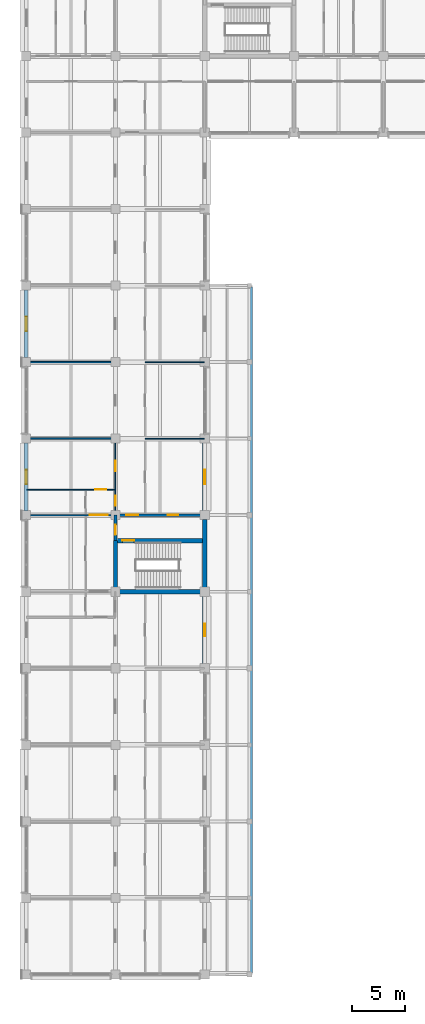
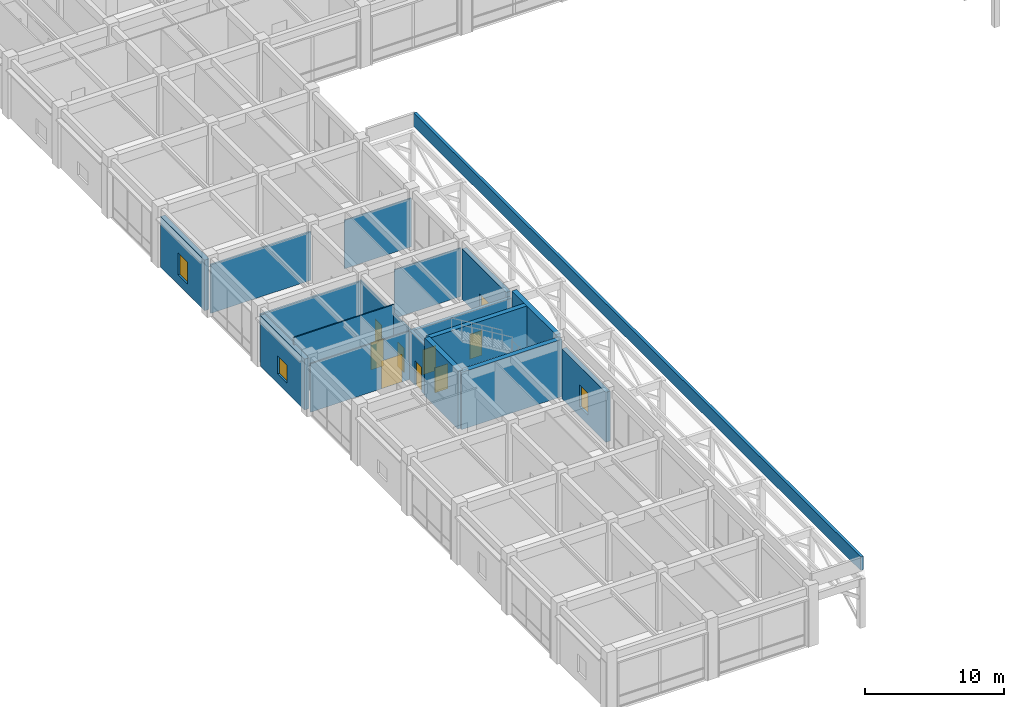
# One storey, part 37 of 68: 18 walls, 8 doors, 4 windows, 12 openings.
"""IFC4 building model written with IfcOpenShell, lengths in metres."""

from ifc_helpers import new_model, si_unit, direction, frame, frame_2d, origin, place, context, subcontext, project, spatial, rectangle, extrude, material, layer, layer_set, type_object, element, fill, save


model = new_model("IFC4")

# Units and contexts
model_context = context("Model", 3, precision=1e-05, world=origin(), true_north=direction((0.0, 1.0)))
body_context = subcontext(model_context, "Body", "Model", "MODEL_VIEW")
ifc_project = project(units=[si_unit("LENGTHUNIT", "METRE"), si_unit("AREAUNIT", "SQUARE_METRE"), si_unit("VOLUMEUNIT", "CUBIC_METRE"), si_unit("PLANEANGLEUNIT", "RADIAN"), si_unit("MASSUNIT", "GRAM", prefix="KILO")], contexts=[model_context])

# Site, building, storey
site_placement = place(None, origin())
site = spatial("IfcSite", under=ifc_project, at=site_placement, CompositionType="ELEMENT")
building_placement = place(site_placement, origin())
building = spatial("IfcBuilding", under=site, at=building_placement, Name="Chengyuan Square Courthouse", CompositionType="ELEMENT")
storey_placement = place(building_placement, frame((0.0, 0.0, 5.39990234375)))
storey = spatial("IfcBuildingStorey", under=building, at=storey_placement, Name="L02", CompositionType="ELEMENT", Elevation=5.39990234375)

# Wall, opening, window
ifc_material_1 = material(Name="Concrete C40", Category="concrete")
ifc_layer_1 = layer(ifc_material_1, 0.3798828125)
ifc_layer_set_1 = layer_set([ifc_layer_1], Name="Concrete C40")
wall_type_1 = type_object("IfcWallType", Name="WL-EW1", PredefinedType="STANDARD", material=ifc_layer_set_1)
wall_1_placement = place(storey_placement, frame((0.0, 43.6201171875, 0.0), z_axis=(0.0, 0.0, 1.0), x_axis=(0.0, 1.0, 0.0)))
wall_1 = element("IfcWall", 1, at=wall_1_placement, inside=storey, type_object=wall_type_1, Name="Exterior Wall WL-L02-E208", PredefinedType="STANDARD", context=body_context, shape_type="SweptSolid", body=[
    extrude(rectangle(XDim=6.35986328125, YDim=0.3798828125, at=frame_2d((3.179931640625, 0.0))), origin(), (0.0, 0.0, 1.0), 4.47021484375),
])
opening_1_placement = place(wall_1_placement, frame((2.5048828125, 0.0, 0.85009765625)))
opening_1 = element("IfcOpeningElement", 2, at=opening_1_placement, cuts=wall_1, Name="Opening WN-022", PredefinedType="OPENING", context=body_context, shape_type="SweptSolid", body=[
    extrude(rectangle(XDim=1.35009765625, YDim=1.56005859375, at=frame_2d((0.675048828125, 0.780029296875))), frame((0.0, 0.201904296875, 0.0), z_axis=(0.0, -1.0, 0.0), x_axis=(1.0, 0.0, 0.0)), (0.0, 0.0, 1.0), 0.40380859375),
])
ifc_material_2 = material(Name="Thermally Broken Aluminium Triple Low-E Window", Category="aluminium")
window_type_1 = type_object("IfcWindowType", Name="WT-21", PartitioningType="SINGLE_PANEL", PredefinedType="WINDOW", material=ifc_material_2)
window_1_placement = place(opening_1_placement, origin())
window_1 = element("IfcWindow", 3, at=window_1_placement, inside=storey, type_object=window_type_1, Name="Facade Window WN-022", OverallHeight=1.56005859375, OverallWidth=1.35009765625, PartitioningType="SINGLE_PANEL", PredefinedType="WINDOW", context=body_context, shape_type="SweptSolid", body=[
    extrude(rectangle(XDim=1.35009765625, YDim=1.56005859375, at=frame_2d((0.675048828125, 0.780029296875))), frame((0.0, 0.030029296875, 0.0), z_axis=(0.0, -1.0, 0.0), x_axis=(1.0, 0.0, 0.0)), (0.0, 0.0, 1.0), 0.06005859375),
])
fill(opening_1, window_1)

wall_2_placement = place(storey_placement, frame((0.0, 58.02001953125, 0.0), z_axis=(0.0, 0.0, 1.0), x_axis=(0.0, 1.0, 0.0)))
wall_2 = element("IfcWall", 4, at=wall_2_placement, inside=storey, type_object=wall_type_1, Name="Exterior Wall WL-L02-E209", PredefinedType="STANDARD", context=body_context, shape_type="SweptSolid", body=[
    extrude(rectangle(XDim=6.35986328125, YDim=0.3798828125, at=frame_2d((3.179931640625, 0.0))), origin(), (0.0, 0.0, 1.0), 4.47021484375),
])
opening_2_placement = place(wall_2_placement, frame((2.5048828125, 0.0, 0.85009765625)))
opening_2 = element("IfcOpeningElement", 5, at=opening_2_placement, cuts=wall_2, Name="Opening WN-023", PredefinedType="OPENING", context=body_context, shape_type="SweptSolid", body=[
    extrude(rectangle(XDim=1.35009765625, YDim=1.919921875, at=frame_2d((0.675048828125, 0.9599609375))), frame((0.0, 0.201904296875, 0.0), z_axis=(0.0, -1.0, 0.0), x_axis=(1.0, 0.0, 0.0)), (0.0, 0.0, 1.0), 0.40380859375),
])
window_type_2 = type_object("IfcWindowType", Name="WT-23", PartitioningType="SINGLE_PANEL", PredefinedType="WINDOW", material=ifc_material_2)
window_2_placement = place(opening_2_placement, origin())
window_2 = element("IfcWindow", 6, at=window_2_placement, inside=storey, type_object=window_type_2, Name="Facade Window WN-023", OverallHeight=1.919921875, OverallWidth=1.35009765625, PartitioningType="SINGLE_PANEL", PredefinedType="WINDOW", context=body_context, shape_type="SweptSolid", body=[
    extrude(rectangle(XDim=1.35009765625, YDim=1.919921875, at=frame_2d((0.675048828125, 0.9599609375))), frame((0.0, 0.030029296875, 0.0), z_axis=(0.0, -1.0, 0.0), x_axis=(1.0, 0.0, 0.0)), (0.0, 0.0, 1.0), 0.06005859375),
])
fill(opening_2, window_2)

wall_3_placement = place(storey_placement, frame((16.800048828125, 29.219970703125, 0.0), z_axis=(0.0, 0.0, 1.0), x_axis=(0.0, 1.0, 0.0)))
wall_3 = element("IfcWall", 7, at=wall_3_placement, inside=storey, type_object=wall_type_1, Name="Exterior Wall WL-L02-E218", PredefinedType="STANDARD", context=body_context, shape_type="SweptSolid", body=[
    extrude(rectangle(XDim=6.360107421875, YDim=0.3798828125, at=frame_2d((3.18017578125, 0.0))), origin(), (0.0, 0.0, 1.0), 4.400146484375),
])
opening_3_placement = place(wall_3_placement, frame((2.580078125, 0.0, 0.85009765625)))
opening_3 = element("IfcOpeningElement", 8, at=opening_3_placement, cuts=wall_3, Name="Opening WN-032", PredefinedType="OPENING", context=body_context, shape_type="SweptSolid", body=[
    extrude(rectangle(XDim=1.199951171875, YDim=1.919921875, at=frame_2d((0.60009765625, 0.9599609375))), frame((0.0, 0.201904296875, 0.0), z_axis=(0.0, -1.0, 0.0), x_axis=(1.0, 0.0, 0.0)), (0.0, 0.0, 1.0), 0.40380859375),
])
window_type_3 = type_object("IfcWindowType", Name="WT-17", PartitioningType="SINGLE_PANEL", PredefinedType="WINDOW", material=ifc_material_2)
window_3_placement = place(opening_3_placement, origin())
window_3 = element("IfcWindow", 9, at=window_3_placement, inside=storey, type_object=window_type_3, Name="Facade Window WN-032", OverallHeight=1.919921875, OverallWidth=1.199951171875, PartitioningType="SINGLE_PANEL", PredefinedType="WINDOW", context=body_context, shape_type="SweptSolid", body=[
    extrude(rectangle(XDim=1.199951171875, YDim=1.919921875, at=frame_2d((0.60009765625, 0.9599609375))), frame((0.0, 0.030029296875, 0.0), z_axis=(0.0, -1.0, 0.0), x_axis=(1.0, 0.0, 0.0)), (0.0, 0.0, 1.0), 0.06005859375),
])
fill(opening_3, window_3)

wall_4_placement = place(storey_placement, frame((16.800048828125, 43.6201171875, 0.0), z_axis=(0.0, 0.0, 1.0), x_axis=(0.0, 1.0, 0.0)))
wall_4 = element("IfcWall", 10, at=wall_4_placement, inside=storey, type_object=wall_type_1, Name="Exterior Wall WL-L02-E220", PredefinedType="STANDARD", context=body_context, shape_type="SweptSolid", body=[
    extrude(rectangle(XDim=6.35986328125, YDim=0.3798828125, at=frame_2d((3.179931640625, 0.0))), origin(), (0.0, 0.0, 1.0), 4.47021484375),
])
opening_4_placement = place(wall_4_placement, frame((2.5048828125, 0.0, 0.85009765625)))
opening_4 = element("IfcOpeningElement", 11, at=opening_4_placement, cuts=wall_4, Name="Opening WN-033", PredefinedType="OPENING", context=body_context, shape_type="SweptSolid", body=[
    extrude(rectangle(XDim=1.35009765625, YDim=1.199951171875, at=frame_2d((0.675048828125, 0.60009765625))), frame((0.0, 0.201904296875, 0.0), z_axis=(0.0, -1.0, 0.0), x_axis=(1.0, 0.0, 0.0)), (0.0, 0.0, 1.0), 0.40380859375),
])
window_type_4 = type_object("IfcWindowType", Name="WT-19", PartitioningType="SINGLE_PANEL", PredefinedType="WINDOW", material=ifc_material_2)
window_4_placement = place(opening_4_placement, origin())
window_4 = element("IfcWindow", 12, at=window_4_placement, inside=storey, type_object=window_type_4, Name="Facade Window WN-033", OverallHeight=1.199951171875, OverallWidth=1.35009765625, PartitioningType="SINGLE_PANEL", PredefinedType="WINDOW", context=body_context, shape_type="SweptSolid", body=[
    extrude(rectangle(XDim=1.35009765625, YDim=1.199951171875, at=frame_2d((0.675048828125, 0.60009765625))), frame((0.0, 0.030029296875, 0.0), z_axis=(0.0, -1.0, 0.0), x_axis=(1.0, 0.0, 0.0)), (0.0, 0.0, 1.0), 0.06005859375),
])
fill(opening_4, window_4)

# Wall, openings, doors
ifc_layer_2 = layer(ifc_material_1, 0.25)
ifc_layer_set_2 = layer_set([ifc_layer_2], Name="Concrete C40")
wall_type_2 = type_object("IfcWallType", Name="WL-FW1", PredefinedType="STANDARD", material=ifc_layer_set_2)
wall_5_placement = place(storey_placement, frame((8.39990234375, 43.199951171875, 0.0), z_axis=(0.0, 0.0, 1.0), x_axis=(1.0, 0.0, 0.0)))
wall_5 = element("IfcWall", 13, at=wall_5_placement, inside=storey, type_object=wall_type_2, Name="Interior Wall WL-L02-I1037", PredefinedType="STANDARD", context=body_context, shape_type="SweptSolid", body=[
    extrude(rectangle(XDim=8.360107421875, YDim=0.25, at=frame_2d((4.18017578125, 0.0))), origin(), (0.0, 0.0, 1.0), 4.27001953125),
])
opening_5_placement = place(wall_5_placement, frame((1.0224609375, 0.0, 0.0)))
opening_5 = element("IfcOpeningElement", 14, at=opening_5_placement, cuts=wall_5, Name="Opening DR-1027", PredefinedType="OPENING", context=body_context, shape_type="SweptSolid", body=[
    extrude(rectangle(XDim=1.10009765625, YDim=2.199951171875, at=frame_2d((0.550048828125, 1.10009765625))), frame((0.0, 0.136962890625, 0.0), z_axis=(0.0, -1.0, 0.0), x_axis=(1.0, 0.0, 0.0)), (0.0, 0.0, 1.0), 0.27392578125),
])
opening_6_placement = place(wall_5_placement, frame((4.927490234375, 0.0, 0.0)))
opening_6 = element("IfcOpeningElement", 15, at=opening_6_placement, cuts=wall_5, Name="Opening DR-1028", PredefinedType="OPENING", context=body_context, shape_type="SweptSolid", body=[
    extrude(rectangle(XDim=1.0, YDim=2.199951171875, at=frame_2d((0.5, 1.10009765625))), frame((0.0, 0.136962890625, 0.0), z_axis=(0.0, -1.0, 0.0), x_axis=(1.0, 0.0, 0.0)), (0.0, 0.0, 1.0), 0.27392578125),
])
ifc_material_3 = material(Name="Steel Q235B Fire Door", Category="steel")
door_type_1 = type_object("IfcDoorType", Name="DT-10", OperationType="NOTDEFINED", PredefinedType="DOOR", material=ifc_material_3)
door_1_placement = place(opening_5_placement, origin())
door_1 = element("IfcDoor", 16, at=door_1_placement, inside=storey, type_object=door_type_1, Name="Interior Door DR-1027", OperationType="SINGLE_SWING_LEFT", OverallHeight=2.199951171875, OverallWidth=1.10009765625, PredefinedType="DOOR", context=body_context, shape_type="SweptSolid", body=[
    extrude(rectangle(XDim=1.10009765625, YDim=2.199951171875, at=frame_2d((0.550048828125, 1.10009765625))), frame((0.0, 0.02490234375, 0.0), z_axis=(0.0, -1.0, 0.0), x_axis=(1.0, 0.0, 0.0)), (0.0, 0.0, 1.0), 0.050048828125),
])
fill(opening_5, door_1)
door_type_2 = type_object("IfcDoorType", Name="DT-11", OperationType="NOTDEFINED", PredefinedType="DOOR", material=ifc_material_3)
door_2_placement = place(opening_6_placement, origin())
door_2 = element("IfcDoor", 17, at=door_2_placement, inside=storey, type_object=door_type_2, Name="Interior Door DR-1028", OperationType="SINGLE_SWING_RIGHT", OverallHeight=2.199951171875, OverallWidth=1.0, PredefinedType="DOOR", context=body_context, shape_type="SweptSolid", body=[
    extrude(rectangle(XDim=1.0, YDim=2.199951171875, at=frame_2d((0.5, 1.10009765625))), frame((0.0, 0.02490234375, 0.0), z_axis=(0.0, -1.0, 0.0), x_axis=(1.0, 0.0, 0.0)), (0.0, 0.0, 1.0), 0.050048828125),
])
fill(opening_6, door_2)

# Wall, opening, door
wall_6_placement = place(storey_placement, frame((8.39990234375, 40.800048828125, 0.0), z_axis=(0.0, 0.0, 1.0), x_axis=(0.0, 1.0, 0.0)))
wall_6 = element("IfcWall", 18, at=wall_6_placement, inside=storey, type_object=wall_type_2, Name="Interior Wall WL-L02-I1207", PredefinedType="STANDARD", context=body_context, shape_type="SweptSolid", body=[
    extrude(rectangle(XDim=2.39990234375, YDim=0.25, at=frame_2d((1.199951171875, 0.0))), origin(), (0.0, 0.0, 1.0), 4.3701171875),
])
opening_7_placement = place(wall_6_placement, frame((0.552490234375, 0.0, 0.0)))
opening_7 = element("IfcOpeningElement", 19, at=opening_7_placement, cuts=wall_6, Name="Opening DR-1029", PredefinedType="OPENING", context=body_context, shape_type="SweptSolid", body=[
    extrude(rectangle(XDim=0.949951171875, YDim=2.14990234375, at=frame_2d((0.47509765625, 1.074951171875))), frame((0.0, 0.136962890625, 0.0), z_axis=(0.0, -1.0, 0.0), x_axis=(1.0, 0.0, 0.0)), (0.0, 0.0, 1.0), 0.27392578125),
])
door_type_3 = type_object("IfcDoorType", Name="DT-12", OperationType="NOTDEFINED", PredefinedType="DOOR", material=ifc_material_3)
door_3_placement = place(opening_7_placement, origin())
door_3 = element("IfcDoor", 20, at=door_3_placement, inside=storey, type_object=door_type_3, Name="Interior Door DR-1029", OperationType="SINGLE_SWING_LEFT", OverallHeight=2.14990234375, OverallWidth=0.949951171875, PredefinedType="DOOR", context=body_context, shape_type="SweptSolid", body=[
    extrude(rectangle(XDim=0.949951171875, YDim=2.14990234375, at=frame_2d((0.47509765625, 1.074951171875))), frame((0.0, 0.02490234375, 0.0), z_axis=(0.0, -1.0, 0.0), x_axis=(1.0, 0.0, 0.0)), (0.0, 0.0, 1.0), 0.050048828125),
])
fill(opening_7, door_3)

# Walls
ifc_layer_3 = layer(ifc_material_1, 0.239990234375)
ifc_layer_set_3 = layer_set([ifc_layer_3], Name="Concrete C40")
wall_type_3 = type_object("IfcWallType", Name="WL-PR2", PredefinedType="PARAPET", material=ifc_layer_set_3)
wall_7_placement = place(storey_placement, frame((21.159912109375, 0.139892578125, 4.800048828125), z_axis=(0.0, 0.0, 1.0), x_axis=(0.0, 1.0, 0.0)))
element("IfcWall", 21, at=wall_7_placement, inside=storey, type_object=wall_type_3, Name="Roof Parapet Wall PAR-L02-002", PredefinedType="PARAPET", context=body_context, shape_type="SweptSolid", body=[
    extrude(rectangle(XDim=64.52001953125, YDim=0.239990234375, at=frame_2d((32.260009765625, 0.0))), origin(), (0.0, 0.0, 1.0), 1.199951171875),
])
ifc_material_4 = material(Name="Deliberation Room Sound-Insulated Partition")
ifc_layer_4 = layer(ifc_material_4, 0.14990234375)
ifc_layer_set_4 = layer_set([ifc_layer_4], Name="Deliberation Room Sound-Insulated Partition")
wall_type_4 = type_object("IfcWallType", Name="WL-PT3", PredefinedType="STANDARD", material=ifc_layer_set_4)
for number, where, z_axis, x_axis, name in (
    (22, (0.0400390625, 50.39990234375, 0.0), (0.0, 0.0, 1.0), (1.0, 0.0, 0.0), "Interior Wall WL-L02-I1042"),
    (23, (0.0400390625, 57.60009765625, 0.0), (0.0, 0.0, 1.0), (1.0, 0.0, 0.0), "Interior Wall WL-L02-I1046"),
):
    element("IfcWall", number, at=place(storey_placement, frame(where, z_axis=z_axis, x_axis=x_axis)), inside=storey, type_object=wall_type_4, Name=name, PredefinedType="STANDARD", context=body_context, shape_type="SweptSolid", body=[
        extrude(rectangle(XDim=8.35986328125, YDim=0.14990234375, at=frame_2d((4.179931640625, 0.0))), origin(), (0.0, 0.0, 1.0), 4.27001953125),
    ])

# Wall, opening, door
ifc_material_5 = material(Name="Gypsum Plasterboard Acoustic Stud Partition")
ifc_layer_5 = layer(ifc_material_5, 0.10009765625)
ifc_layer_set_5 = layer_set([ifc_layer_5], Name="Gypsum Plasterboard Acoustic Stud Partition")
wall_type_5 = type_object("IfcWallType", Name="WL-PT6", PredefinedType="STANDARD", material=ifc_layer_set_5)
wall_8_placement = place(storey_placement, frame((0.0400390625, 43.199951171875, 0.0), z_axis=(0.0, 0.0, 1.0), x_axis=(1.0, 0.0, 0.0)))
wall_8 = element("IfcWall", 24, at=wall_8_placement, inside=storey, type_object=wall_type_5, Name="Interior Wall WL-L02-I1036", PredefinedType="STANDARD", context=body_context, shape_type="SweptSolid", body=[
    extrude(rectangle(XDim=8.35986328125, YDim=0.10009765625, at=frame_2d((4.179931640625, 0.0))), origin(), (0.0, 0.0, 1.0), 4.27001953125),
])
opening_8_placement = place(wall_8_placement, frame((5.9375, 0.0, 0.0)))
opening_8 = element("IfcOpeningElement", 25, at=opening_8_placement, cuts=wall_8, Name="Opening DR-1285", PredefinedType="OPENING", context=body_context, shape_type="SweptSolid", body=[
    extrude(rectangle(XDim=1.699951171875, YDim=2.449951171875, at=frame_2d((0.85009765625, 1.22509765625))), frame((0.0, 0.06201171875, 0.0), z_axis=(0.0, -1.0, 0.0), x_axis=(1.0, 0.0, 0.0)), (0.0, 0.0, 1.0), 0.1240234375),
])
ifc_material_6 = material(Name="Acoustic Larch Veneer Double Door")
door_type_4 = type_object("IfcDoorType", Name="DT-24", OperationType="DOUBLE_DOOR_SINGLE_SWING", PredefinedType="DOOR", material=ifc_material_6)
door_4_placement = place(opening_8_placement, frame((1.699951171875, 0.0, 0.0), z_axis=(0.0, 0.0, 1.0), x_axis=(-1.0, 0.0, 0.0)))
door_4 = element("IfcDoor", 26, at=door_4_placement, inside=storey, type_object=door_type_4, Name="Interior Door DR-1285", OperationType="DOUBLE_DOOR_SINGLE_SWING", OverallHeight=2.449951171875, OverallWidth=1.699951171875, PredefinedType="DOOR", context=body_context, shape_type="SweptSolid", body=[
    extrude(rectangle(XDim=1.699951171875, YDim=2.449951171875, at=frame_2d((0.85009765625, 1.22509765625))), frame((0.0, 0.02490234375, 0.0), z_axis=(0.0, -1.0, 0.0), x_axis=(1.0, 0.0, 0.0)), (0.0, 0.0, 1.0), 0.050048828125),
])
fill(opening_8, door_4)

wall_9_placement = place(storey_placement, frame((0.0400390625, 45.60009765625, 0.0), z_axis=(0.0, 0.0, 1.0), x_axis=(1.0, 0.0, 0.0)))
wall_9 = element("IfcWall", 27, at=wall_9_placement, inside=storey, type_object=wall_type_5, Name="Interior Wall WL-L02-I1040", PredefinedType="STANDARD", context=body_context, shape_type="SweptSolid", body=[
    extrude(rectangle(XDim=8.35986328125, YDim=0.10009765625, at=frame_2d((4.179931640625, 0.0))), origin(), (0.0, 0.0, 1.0), 5.1201171875),
])
opening_9_placement = place(wall_9_placement, frame((6.449951171875, 0.0, 0.0)))
opening_9 = element("IfcOpeningElement", 28, at=opening_9_placement, cuts=wall_9, Name="Opening DR-1287", PredefinedType="OPENING", context=body_context, shape_type="SweptSolid", body=[
    extrude(rectangle(XDim=1.02001953125, YDim=2.39990234375, at=frame_2d((0.510009765625, 1.199951171875))), frame((0.0, 0.06201171875, 0.0), z_axis=(0.0, -1.0, 0.0), x_axis=(1.0, 0.0, 0.0)), (0.0, 0.0, 1.0), 0.1240234375),
])
ifc_material_7 = material(Name="Acoustic Solid-Core Timber Door", Category="wood")
door_type_5 = type_object("IfcDoorType", Name="DT-41", OperationType="NOTDEFINED", PredefinedType="DOOR", material=ifc_material_7)
door_5_placement = place(opening_9_placement, origin())
door_5 = element("IfcDoor", 29, at=door_5_placement, inside=storey, type_object=door_type_5, Name="Interior Door DR-1287", OperationType="SINGLE_SWING_RIGHT", OverallHeight=2.39990234375, OverallWidth=1.02001953125, PredefinedType="DOOR", context=body_context, shape_type="SweptSolid", body=[
    extrude(rectangle(XDim=1.02001953125, YDim=2.39990234375, at=frame_2d((0.510009765625, 1.199951171875))), frame((0.0, 0.02490234375, 0.0), z_axis=(0.0, -1.0, 0.0), x_axis=(1.0, 0.0, 0.0)), (0.0, 0.0, 1.0), 0.050048828125),
])
fill(opening_9, door_5)

# Walls
for number, where, z_axis, x_axis, name in (
    (30, (11.199951171875, 50.39990234375, 0.0), (0.0, 0.0, 1.0), (1.0, 0.0, 0.0), "Interior Wall WL-L02-I1043"),
    (31, (11.199951171875, 57.60009765625, 0.0), (0.0, 0.0, 1.0), (1.0, 0.0, 0.0), "Interior Wall WL-L02-I1047"),
):
    element("IfcWall", number, at=place(storey_placement, frame(where, z_axis=z_axis, x_axis=x_axis)), inside=storey, type_object=wall_type_5, Name=name, PredefinedType="STANDARD", context=body_context, shape_type="SweptSolid", body=[
        extrude(rectangle(XDim=5.56005859375, YDim=0.10009765625, at=frame_2d((2.780029296875, 0.0))), origin(), (0.0, 0.0, 1.0), 4.27001953125),
    ])

# Wall, openings, doors
wall_10_placement = place(storey_placement, frame((8.39990234375, 43.199951171875, 0.0), z_axis=(0.0, 0.0, 1.0), x_axis=(0.0, 1.0, 0.0)))
wall_10 = element("IfcWall", 32, at=wall_10_placement, inside=storey, type_object=wall_type_5, Name="Interior Wall WL-L02-I1208", PredefinedType="STANDARD", context=body_context, shape_type="SweptSolid", body=[
    extrude(rectangle(XDim=7.199951171875, YDim=0.10009765625, at=frame_2d((3.60009765625, 0.0))), origin(), (0.0, 0.0, 1.0), 4.3701171875),
])
opening_10_placement = place(wall_10_placement, frame((0.91259765625, 0.0, 0.0)))
opening_10 = element("IfcOpeningElement", 33, at=opening_10_placement, cuts=wall_10, Name="Opening DR-1275", PredefinedType="OPENING", context=body_context, shape_type="SweptSolid", body=[
    extrude(rectangle(XDim=0.919921875, YDim=2.14990234375, at=frame_2d((0.4599609375, 1.074951171875))), frame((0.0, 0.06201171875, 0.0), z_axis=(0.0, -1.0, 0.0), x_axis=(1.0, 0.0, 0.0)), (0.0, 0.0, 1.0), 0.1240234375),
])
opening_11_placement = place(wall_10_placement, frame((4.1474609375, 0.0, 0.0)))
opening_11 = element("IfcOpeningElement", 34, at=opening_11_placement, cuts=wall_10, Name="Opening DR-1276", PredefinedType="OPENING", context=body_context, shape_type="SweptSolid", body=[
    extrude(rectangle(XDim=0.9599609375, YDim=2.199951171875, at=frame_2d((0.47998046875, 1.10009765625))), frame((0.0, 0.06201171875, 0.0), z_axis=(0.0, -1.0, 0.0), x_axis=(1.0, 0.0, 0.0)), (0.0, 0.0, 1.0), 0.1240234375),
])
door_type_6 = type_object("IfcDoorType", Name="DT-29", OperationType="NOTDEFINED", PredefinedType="DOOR", material=ifc_material_7)
door_6_placement = place(opening_10_placement, origin())
door_6 = element("IfcDoor", 35, at=door_6_placement, inside=storey, type_object=door_type_6, Name="Interior Door DR-1275", OperationType="SINGLE_SWING_RIGHT", OverallHeight=2.14990234375, OverallWidth=0.919921875, PredefinedType="DOOR", context=body_context, shape_type="SweptSolid", body=[
    extrude(rectangle(XDim=0.919921875, YDim=2.14990234375, at=frame_2d((0.4599609375, 1.074951171875))), frame((0.0, 0.02490234375, 0.0), z_axis=(0.0, -1.0, 0.0), x_axis=(1.0, 0.0, 0.0)), (0.0, 0.0, 1.0), 0.050048828125),
])
fill(opening_10, door_6)
door_type_7 = type_object("IfcDoorType", Name="DT-30", OperationType="NOTDEFINED", PredefinedType="DOOR", material=ifc_material_7)
door_7_placement = place(opening_11_placement, origin())
door_7 = element("IfcDoor", 36, at=door_7_placement, inside=storey, type_object=door_type_7, Name="Interior Door DR-1276", OperationType="SINGLE_SWING_LEFT", OverallHeight=2.199951171875, OverallWidth=0.9599609375, PredefinedType="DOOR", context=body_context, shape_type="SweptSolid", body=[
    extrude(rectangle(XDim=0.9599609375, YDim=2.199951171875, at=frame_2d((0.47998046875, 1.10009765625))), frame((0.0, 0.02490234375, 0.0), z_axis=(0.0, -1.0, 0.0), x_axis=(1.0, 0.0, 0.0)), (0.0, 0.0, 1.0), 0.050048828125),
])
fill(opening_11, door_7)

# Walls
ifc_material_8 = material(Name="Concrete C50", Category="concrete")
ifc_layer_6 = layer(ifc_material_8, 0.39990234375)
ifc_layer_set_6 = layer_set([ifc_layer_6], Name="Concrete C50")
wall_type_6 = type_object("IfcWallType", Name="WL-SW1", PredefinedType="SHEAR", material=ifc_layer_set_6)
wall_11_placement = place(storey_placement, frame((16.800048828125, 36.419921875, 0.0), z_axis=(0.0, 0.0, 1.0), x_axis=(0.0, 1.0, 0.0)))
element("IfcWall", 37, at=wall_11_placement, inside=storey, type_object=wall_type_6, Name="Exterior Wall WL-L02-E219", PredefinedType="SHEAR", context=body_context, shape_type="SweptSolid", body=[
    extrude(rectangle(XDim=6.360107421875, YDim=0.39990234375, at=frame_2d((3.18017578125, 0.0))), origin(), (0.0, 0.0, 1.0), 5.1201171875),
])
wall_12_placement = place(storey_placement, frame((8.39990234375, 36.0, 0.0), z_axis=(0.0, 0.0, 1.0), x_axis=(1.0, 0.0, 0.0)))
element("IfcWall", 38, at=wall_12_placement, inside=storey, type_object=wall_type_6, Name="Interior Wall WL-L02-I1031", PredefinedType="SHEAR", context=body_context, shape_type="SweptSolid", body=[
    extrude(rectangle(XDim=8.360107421875, YDim=0.39990234375, at=frame_2d((4.18017578125, 0.0))), origin(), (0.0, 0.0, 1.0), 5.050048828125),
])

# Wall, opening, door
wall_13_placement = place(storey_placement, frame((8.39990234375, 40.800048828125, 0.0), z_axis=(0.0, 0.0, 1.0), x_axis=(1.0, 0.0, 0.0)))
wall_13 = element("IfcWall", 39, at=wall_13_placement, inside=storey, type_object=wall_type_6, Name="Interior Wall WL-L02-I1034", PredefinedType="SHEAR", context=body_context, shape_type="SweptSolid", body=[
    extrude(rectangle(XDim=8.360107421875, YDim=0.39990234375, at=frame_2d((4.18017578125, 0.0))), origin(), (0.0, 0.0, 1.0), 5.1201171875),
])
opening_12_placement = place(wall_13_placement, frame((0.64990234375, 0.0, 0.0)))
opening_12 = element("IfcOpeningElement", 40, at=opening_12_placement, cuts=wall_13, Name="Opening DR-1005", PredefinedType="OPENING", context=body_context, shape_type="SweptSolid", body=[
    extrude(rectangle(XDim=1.10009765625, YDim=2.199951171875, at=frame_2d((0.550048828125, 1.10009765625))), frame((0.0, 0.2119140625, 0.0), z_axis=(0.0, -1.0, 0.0), x_axis=(1.0, 0.0, 0.0)), (0.0, 0.0, 1.0), 0.423828125),
])
door_8_placement = place(opening_12_placement, frame((1.10009765625, 0.0, 0.0), z_axis=(0.0, 0.0, 1.0), x_axis=(-1.0, 0.0, 0.0)))
door_8 = element("IfcDoor", 41, at=door_8_placement, inside=storey, type_object=door_type_1, Name="Smoke-Proof Stairwell Fire Door ST-7 DR-1005", OperationType="SINGLE_SWING_LEFT", OverallHeight=2.199951171875, OverallWidth=1.10009765625, PredefinedType="DOOR", context=body_context, shape_type="SweptSolid", body=[
    extrude(rectangle(XDim=1.10009765625, YDim=2.199951171875, at=frame_2d((0.550048828125, 1.10009765625))), frame((0.0, 0.02490234375, 0.0), z_axis=(0.0, -1.0, 0.0), x_axis=(1.0, 0.0, 0.0)), (0.0, 0.0, 1.0), 0.050048828125),
])
fill(opening_12, door_8)

# Wall
wall_14_placement = place(storey_placement, frame((8.39990234375, 36.0, 0.0), z_axis=(0.0, 0.0, 1.0), x_axis=(0.0, 1.0, 0.0)))
element("IfcWall", 42, at=wall_14_placement, inside=storey, type_object=wall_type_6, Name="Interior Wall WL-L02-I1206", PredefinedType="SHEAR", context=body_context, shape_type="SweptSolid", body=[
    extrude(rectangle(XDim=4.800048828125, YDim=0.39990234375, at=frame_2d((2.39990234375, 0.0))), origin(), (0.0, 0.0, 1.0), 5.1201171875),
])

save(model, "model.ifc")
